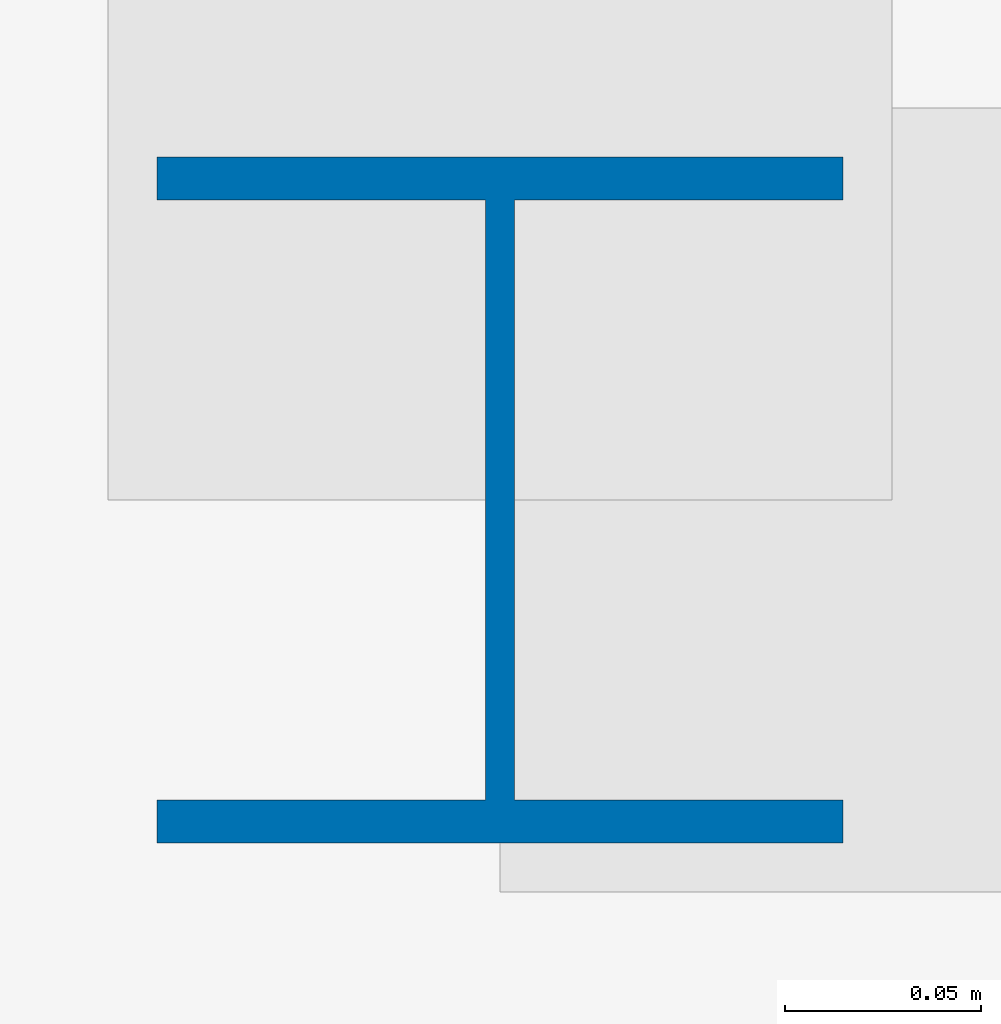
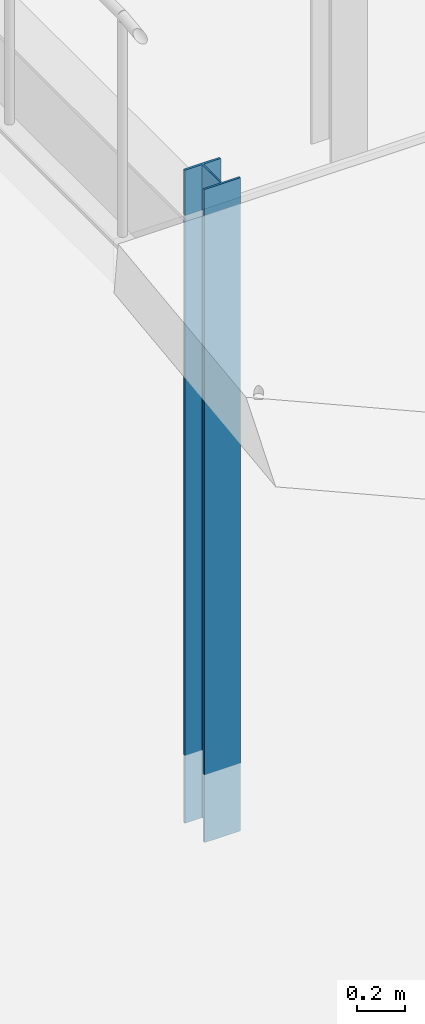
# One storey, part 33 of 139: 1 column.
"""IFC4 building model written with IfcOpenShell, lengths in metres."""

from ifc_helpers import new_model, si_unit, direction, frame, origin, origin_2d, place, context, subcontext, project, spatial, i_section, extrude, material, material_profile, profile_set, type_object, element, save


model = new_model("IFC4")

# Units and contexts
model_context = context("Model", 3, precision=1e-05, world=origin(), true_north=direction((0.0, 1.0)))
body_context = subcontext(model_context, "Body", "Model", "MODEL_VIEW")
ifc_project = project(units=[si_unit("LENGTHUNIT", "METRE"), si_unit("AREAUNIT", "SQUARE_METRE"), si_unit("VOLUMEUNIT", "CUBIC_METRE"), si_unit("PLANEANGLEUNIT", "RADIAN"), si_unit("MASSUNIT", "GRAM", prefix="KILO")], contexts=[model_context])

# Site, building, storey
site_placement = place(None, origin())
site = spatial("IfcSite", under=ifc_project, at=site_placement, CompositionType="ELEMENT")
building_placement = place(site_placement, origin())
building = spatial("IfcBuilding", under=site, at=building_placement, Name="Kazenagashi Tramway Depot", CompositionType="ELEMENT")
storey_placement = place(building_placement, origin())
storey = spatial("IfcBuildingStorey", under=building, at=storey_placement, Name="L01", CompositionType="ELEMENT", Elevation=0.0)

# Column
ifc_material = material(Name="Steel SN400B", Category="steel")
ifc_material_profile = material_profile(ifc_material, i_section(OverallWidth=0.175, OverallDepth=0.175, WebThickness=0.0075, FlangeThickness=0.011, at=origin_2d()), Name="H-175x175x7.5x11")
ifc_profile_set = profile_set([ifc_material_profile], Name="Steel SN400B")
column_type = type_object("IfcColumnType", Name="C-08", PredefinedType="COLUMN", material=ifc_profile_set)
column_placement = place(storey_placement, frame((189.7, 26.25, -0.35), z_axis=(0.0, 0.0, 1.0), x_axis=(1.0, 0.0, 0.0)))
element("IfcColumn", 1, at=column_placement, inside=storey, type_object=column_type, Name="Column C-08 COL-0895", PredefinedType="COLUMN", context=body_context, shape_type="SweptSolid", body=[
    extrude(i_section(OverallWidth=0.175, OverallDepth=0.175, WebThickness=0.0075, FlangeThickness=0.011, at=origin_2d()), origin(), (0.0, 0.0, 1.0), 3.35),
])

save(model, "model.ifc")
